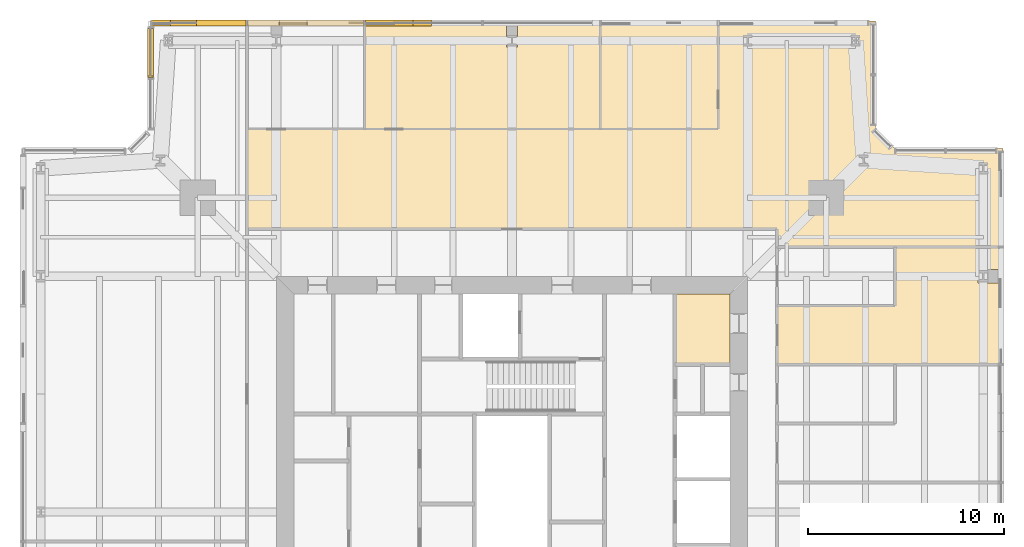
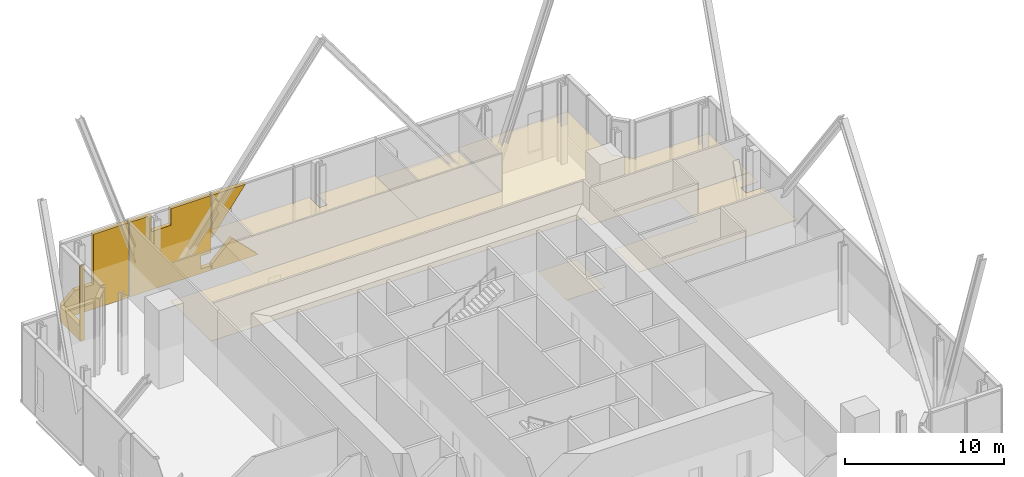
# One storey, part 18 of 20: 10 coverings.
"""IFC4 building model written with IfcOpenShell, lengths in metres."""

from ifc_helpers import new_model, si_unit, direction, frame, origin, place, context, subcontext, project, spatial, polyline, outline, extrude, material, layer, layer_set, type_object, element, save


model = new_model("IFC4")

# Units and contexts
model_context = context("Model", 3, precision=1e-05, world=origin(), true_north=direction((0.0, 1.0)))
body_context = subcontext(model_context, "Body", "Model", "MODEL_VIEW")
ifc_project = project(units=[si_unit("LENGTHUNIT", "METRE"), si_unit("AREAUNIT", "SQUARE_METRE"), si_unit("VOLUMEUNIT", "CUBIC_METRE"), si_unit("PLANEANGLEUNIT", "RADIAN"), si_unit("MASSUNIT", "GRAM", prefix="KILO")], contexts=[model_context])

# Site, building, storey
site_placement = place(None, origin())
site = spatial("IfcSite", under=ifc_project, at=site_placement, CompositionType="ELEMENT")
building_placement = place(site_placement, origin())
building = spatial("IfcBuilding", under=site, at=building_placement, Name="Fenwick Lantern Interchange", CompositionType="ELEMENT")
storey_placement = place(building_placement, frame((0.0, 0.0, 239.800048828125)))
storey = spatial("IfcBuildingStorey", under=building, at=storey_placement, Name="L56", CompositionType="ELEMENT", Elevation=239.800048828125)

# Coverings
ifc_material_1 = material(Name="Mineral fibre acoustic tile on suspended grid")
ifc_layer_1 = layer(ifc_material_1, 0.02001953125)
ifc_layer_set_1 = layer_set([ifc_layer_1], Name="ACOUSTIC TILE CEILING 20")
covering_type_1 = type_object("IfcCoveringType", Name="ACOUSTIC TILE CEILING 20", PredefinedType="CEILING", material=ifc_layer_set_1)
covering_1_placement = place(storey_placement, frame((0.0, 0.0, 2.89990234375)))
element("IfcCovering", 1, at=covering_1_placement, inside=storey, type_object=covering_type_1, Name="Meeting room ceiling", PredefinedType="CEILING", context=body_context, shape_type="SweptSolid", body=[
    extrude(outline(polyline([(50.0, 38.5), (44.5, 38.5), (44.5, 35.5), (38.5, 35.5), (38.5, 32.5), (50.0, 32.5), (50.0, 36.66552734375), (48.72265625, 36.66552734375), (48.72265625, 37.33447265625), (50.0, 37.33447265625), (50.0, 38.5)])), origin(), (0.0, 0.0, 1.0), 0.02001953125),
])
covering_2_placement = place(storey_placement, frame((0.0, 0.0, 2.89990234375)))
element("IfcCovering", 2, at=covering_2_placement, inside=storey, type_object=covering_type_1, Name="Hotel back office ceiling", PredefinedType="CEILING", context=body_context, shape_type="SweptSolid", body=[
    extrude(outline(polyline([(50.0, 38.5), (50.0, 43.5), (44.5, 43.5), (43.5, 44.5), (43.5, 50.0), (35.5, 50.0), (35.5, 44.5), (11.5, 44.5), (11.5, 39.39990234375), (38.5, 39.39990234375), (38.5, 38.5), (50.0, 38.5)])), origin(), (0.0, 0.0, 1.0), 0.02001953125),
])
covering_3_placement = place(storey_placement, frame((0.0, 0.0, 2.699951171875)))
element("IfcCovering", 3, at=covering_3_placement, inside=storey, type_object=covering_type_1, Name="Security office ceiling", PredefinedType="CEILING", context=body_context, shape_type="SweptSolid", body=[
    extrude(outline(polyline([(35.5, 50.0), (29.5, 50.0), (29.5, 44.5), (35.5, 44.5), (35.5, 50.0)])), origin(), (0.0, 0.0, 1.0), 0.02001953125),
])
covering_4_placement = place(storey_placement, frame((0.0, 0.0, 2.89990234375)))
element("IfcCovering", 4, at=covering_4_placement, inside=storey, type_object=covering_type_1, Name="Office ceiling", PredefinedType="CEILING", context=body_context, shape_type="SweptSolid", body=[
    extrude(outline(polyline([(29.5, 44.5), (29.5, 50.0), (25.27099609375, 50.0), (25.27099609375, 48.6845703125), (24.72900390625, 48.6845703125), (24.72900390625, 50.0), (17.5, 50.0), (17.5, 44.5), (29.5, 44.5)])), origin(), (0.0, 0.0, 1.0), 0.02001953125),
])
ifc_material_2 = material(Name="Granite cladding, warm grey flamed finish, on aluminium carrier frame", Category="masonry")
ifc_layer_2 = layer(ifc_material_2, 0.300048828125)
ifc_layer_set_2 = layer_set([ifc_layer_2], Name="BRACE CASING PANEL 300")
covering_type_2 = type_object("IfcCoveringType", Name="BRACE CASING PANEL 300", PredefinedType="CLADDING", material=ifc_layer_set_2)
covering_5_placement = place(storey_placement, frame((43.39990234375, 49.89990234375, 0.0), z_axis=(0.0, 0.0, 1.0), x_axis=(-1.0, 0.0, 0.0)))
element("IfcCovering", 5, at=covering_5_placement, inside=storey, type_object=covering_type_2, Name="Brace casing 09 bay 04a", PredefinedType="CLADDING", context=body_context, shape_type="SweptSolid", body=[
    extrude(outline(polyline([(22.50439453125, 0.0), (25.860107421875, 0.0), (25.860107421875, 0.435546875), (24.39990234375, 1.8955078125), (22.50439453125, 0.0)])), frame((0.0, 0.14990234375, 0.0), z_axis=(0.0, -1.0, 0.0), x_axis=(1.0, 0.0, 0.0)), (0.0, 0.0, 1.0), 0.300048828125),
])
covering_6_placement = place(storey_placement, frame((43.39990234375, 49.89990234375, 2.431396484375), z_axis=(0.0, 0.0, 1.0), x_axis=(-1.0, 0.0, 0.0)))
element("IfcCovering", 6, at=covering_6_placement, inside=storey, type_object=covering_type_2, Name="Brace casing 09 bay 04b", PredefinedType="CLADDING", context=body_context, shape_type="SweptSolid", body=[
    extrude(outline(polyline([(25.860107421875, 0.0), (25.860107421875, 3.298583984375), (23.43017578125, 3.298583984375), (25.860107421875, 0.0)])), frame((0.0, 0.14990234375, 0.0), z_axis=(0.0, -1.0, 0.0), x_axis=(1.0, 0.0, 0.0)), (0.0, 0.0, 1.0), 0.300048828125),
])
covering_7_placement = place(storey_placement, frame((43.39990234375, 49.89990234375, 0.0), z_axis=(0.0, 0.0, 1.0), x_axis=(-1.0, 0.0, 0.0)))
element("IfcCovering", 7, at=covering_7_placement, inside=storey, type_object=covering_type_2, Name="Brace casing 09 bay 05a", PredefinedType="CLADDING", context=body_context, shape_type="SweptSolid", body=[
    extrude(outline(polyline([(25.93994140625, 0.0), (31.860107421875, 0.0), (31.860107421875, 5.72998046875), (30.241455078125, 5.72998046875), (30.241455078125, 4.460693359375), (28.83642578125, 4.460693359375), (28.83642578125, 5.72998046875), (25.93994140625, 5.72998046875), (25.93994140625, 1.338623046875), (26.6650390625, 1.338623046875), (26.6650390625, 0.35546875), (25.93994140625, 0.35546875), (25.93994140625, 0.0)])), frame((0.0, 0.14990234375, 0.0), z_axis=(0.0, -1.0, 0.0), x_axis=(1.0, 0.0, 0.0)), (0.0, 0.0, 1.0), 0.300048828125),
])
covering_8_placement = place(storey_placement, frame((43.39990234375, 49.89990234375, 0.0), z_axis=(0.0, 0.0, 1.0), x_axis=(-1.0, 0.0, 0.0)))
element("IfcCovering", 8, at=covering_8_placement, inside=storey, type_object=covering_type_2, Name="Brace casing 09 bay 06a", PredefinedType="CLADDING", context=body_context, shape_type="SweptSolid", body=[
    extrude(outline(polyline([(31.93994140625, 0.0), (36.719970703125, 0.0), (36.719970703125, 1.0400390625), (35.789306640625, 1.89306640625), (34.47021484375, 1.89306640625), (34.47021484375, 5.72998046875), (31.93994140625, 5.72998046875), (31.93994140625, 0.0)])), frame((0.0, 0.14990234375, 0.0), z_axis=(0.0, -1.0, 0.0), x_axis=(1.0, 0.0, 0.0)), (0.0, 0.0, 1.0), 0.300048828125),
])
covering_9_placement = place(storey_placement, frame((6.60009765625, 49.89990234375, 0.0), z_axis=(0.0, 0.0, 1.0), x_axis=(0.0, -1.0, 0.0)))
element("IfcCovering", 9, at=covering_9_placement, inside=storey, type_object=covering_type_2, Name="Brace casing 10 bay 00a", PredefinedType="CLADDING", context=body_context, shape_type="SweptSolid", body=[
    extrude(outline(polyline([(0.280029296875, 0.0), (2.78076171875, 0.0), (2.78076171875, 5.72998046875), (2.699951171875, 5.72998046875), (2.699951171875, 1.14990234375), (0.280029296875, 1.14990234375), (0.280029296875, 0.0)])), frame((0.0, 0.14990234375, 0.0), z_axis=(0.0, -1.0, 0.0), x_axis=(1.0, 0.0, 0.0)), (0.0, 0.0, 1.0), 0.300048828125),
])
ifc_material_3 = material(Name="Moisture resistant gypsum board on suspended frame, painted")
ifc_layer_3 = layer(ifc_material_3, 0.014892578125)
ifc_layer_set_3 = layer_set([ifc_layer_3], Name="MOISTURE RESISTANT CEILING 15")
covering_type_3 = type_object("IfcCoveringType", Name="MOISTURE RESISTANT CEILING 15", PredefinedType="CEILING", material=ifc_layer_set_3)
covering_10_placement = place(storey_placement, frame((0.0, 0.0, 2.599853515625)))
element("IfcCovering", 10, at=covering_10_placement, inside=storey, type_object=covering_type_3, Name="Accessible WC and shower ceiling", PredefinedType="CEILING", context=body_context, shape_type="SweptSolid", body=[
    extrude(outline(polyline([(36.10009765625, 36.10009765625), (33.300048828125, 36.10009765625), (33.300048828125, 32.5), (36.10009765625, 32.5), (36.10009765625, 36.10009765625)])), origin(), (0.0, 0.0, 1.0), 0.01513671875),
])

save(model, "model.ifc")
